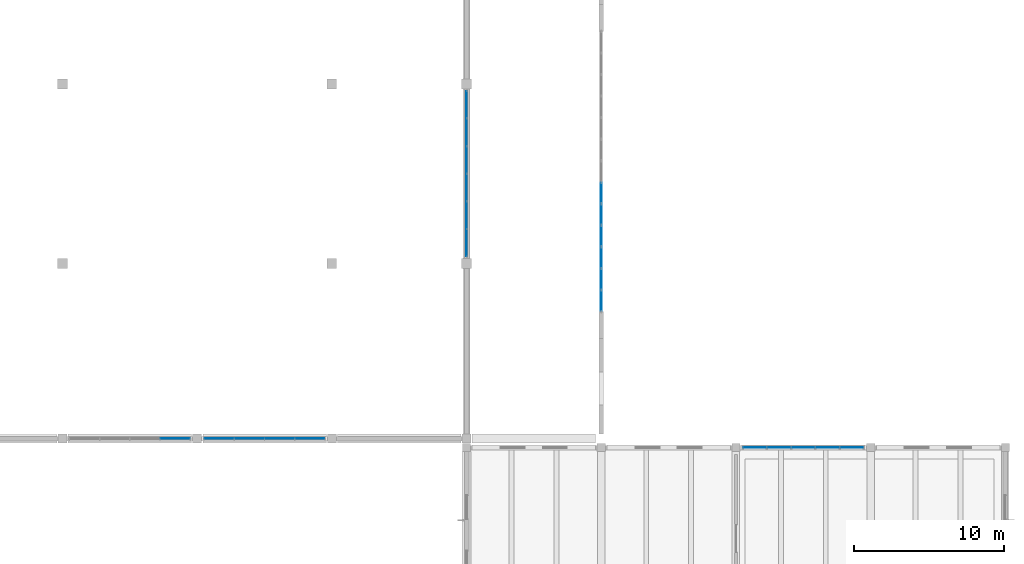
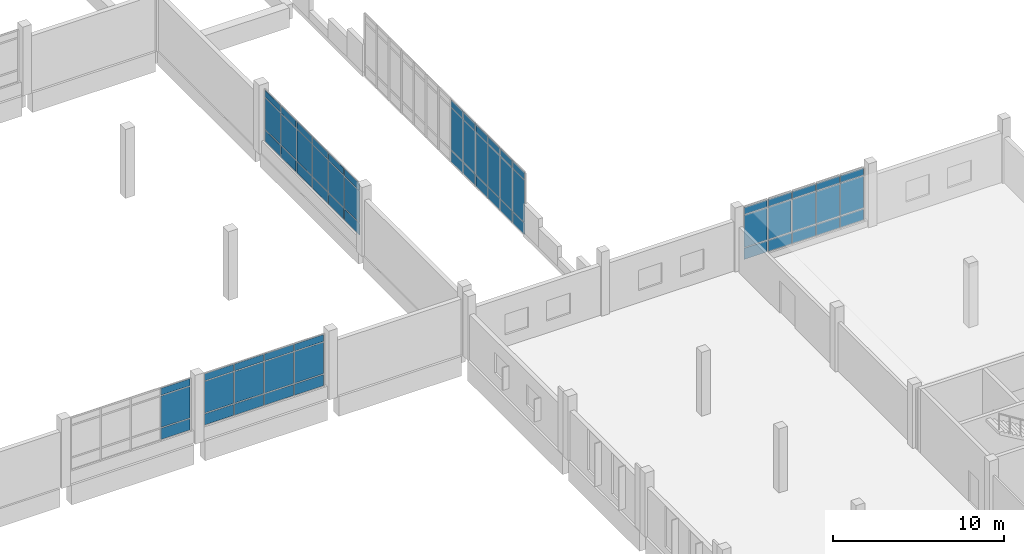
# One storey, part 30 of 63: 66 plates, 5 elements without a shape of their own.
"""IFC4 building model written with IfcOpenShell, lengths in metres."""

from ifc_helpers import new_model, si_unit, direction, frame, origin, origin_2d, place, context, subcontext, project, spatial, rectangle, extrude, material, layer, layer_set, type_object, element, aggregate, save


model = new_model("IFC4")

# Units and contexts
model_context = context("Model", 3, precision=1e-05, world=origin(), true_north=direction((0.0, 1.0)))
body_context = subcontext(model_context, "Body", "Model", "MODEL_VIEW")
ifc_project = project(units=[si_unit("LENGTHUNIT", "METRE"), si_unit("AREAUNIT", "SQUARE_METRE"), si_unit("VOLUMEUNIT", "CUBIC_METRE"), si_unit("PLANEANGLEUNIT", "RADIAN"), si_unit("MASSUNIT", "GRAM", prefix="KILO")], contexts=[model_context])

# Site, building, storey
site_placement = place(None, origin())
site = spatial("IfcSite", under=ifc_project, at=site_placement, CompositionType="ELEMENT")
building_placement = place(site_placement, origin())
building = spatial("IfcBuilding", under=site, at=building_placement, Name="Zacnel Wholesale Market", CompositionType="ELEMENT")
storey_placement = place(building_placement, frame((0.0, 0.0, 11.199951171875)))
storey = spatial("IfcBuildingStorey", under=building, at=storey_placement, Name="L03", CompositionType="ELEMENT", Elevation=11.199951171875)

# Curtain wall, plates
ifc_material_1 = material(Name="Anodised aluminium", Category="aluminium")
ifc_layer_1 = layer(ifc_material_1, 0.159912109375)
ifc_layer_set_1 = layer_set([ifc_layer_1], Name="Anodised aluminium")
curtain_wall_type_1 = type_object("IfcCurtainWallType", Name="CW-COURT-4500", PredefinedType="NOTDEFINED", material=ifc_layer_set_1)
curtain_wall_1_placement = place(storey_placement, origin())
curtain_wall_1 = element("IfcCurtainWall", 1, at=curtain_wall_1_placement, inside=storey, type_object=curtain_wall_type_1, Name="Curtain wall ENV-R2-CW-L03-050", PredefinedType="NOTDEFINED")
ifc_material_2 = material(Name="Laminated hurricane-impact low-E insulated glass", Category="glass")
ifc_layer_2 = layer(ifc_material_2, 0.028076171875)
ifc_layer_set_2 = layer_set([ifc_layer_2], Name="Laminated hurricane-impact low-E insulated glass")
plate_type_1 = type_object("IfcPlateType", Name="CWP-PNL-01", PredefinedType="CURTAIN_PANEL", material=ifc_layer_set_2)
plate_1_placement = place(storey_placement, frame((199.260009765625, 95.699951171875, 1.330078125), z_axis=(0.0, 0.0, 1.0), x_axis=(1.0, 0.0, 0.0)))
plate_1 = element("IfcPlate", 2, at=plate_1_placement, type_object=plate_type_1, Name="ENV-R2-CW-L03-050 panel 1-2", PredefinedType="CURTAIN_PANEL", context=body_context, shape_type="SweptSolid", body=[
    extrude(rectangle(XDim=1.550048828125, YDim=0.028076171875, at=origin_2d()), origin(), (0.0, 0.0, 1.0), 2.2900390625),
])
plate_2_placement = place(storey_placement, frame((200.8798828125, 95.699951171875, 1.330078125), z_axis=(0.0, 0.0, 1.0), x_axis=(1.0, 0.0, 0.0)))
plate_2 = element("IfcPlate", 3, at=plate_2_placement, type_object=plate_type_1, Name="ENV-R2-CW-L03-050 panel 2-2", PredefinedType="CURTAIN_PANEL", context=body_context, shape_type="SweptSolid", body=[
    extrude(rectangle(XDim=1.550048828125, YDim=0.028076171875, at=origin_2d()), origin(), (0.0, 0.0, 1.0), 2.2900390625),
])
plate_3_placement = place(storey_placement, frame((202.5, 95.699951171875, 1.330078125), z_axis=(0.0, 0.0, 1.0), x_axis=(1.0, 0.0, 0.0)))
plate_3 = element("IfcPlate", 4, at=plate_3_placement, type_object=plate_type_1, Name="ENV-R2-CW-L03-050 panel 3-2", PredefinedType="CURTAIN_PANEL", context=body_context, shape_type="SweptSolid", body=[
    extrude(rectangle(XDim=1.550048828125, YDim=0.028076171875, at=origin_2d()), origin(), (0.0, 0.0, 1.0), 2.2900390625),
])
plate_4_placement = place(storey_placement, frame((204.1201171875, 95.699951171875, 1.330078125), z_axis=(0.0, 0.0, 1.0), x_axis=(1.0, 0.0, 0.0)))
plate_4 = element("IfcPlate", 5, at=plate_4_placement, type_object=plate_type_1, Name="ENV-R2-CW-L03-050 panel 4-2", PredefinedType="CURTAIN_PANEL", context=body_context, shape_type="SweptSolid", body=[
    extrude(rectangle(XDim=1.550048828125, YDim=0.028076171875, at=origin_2d()), origin(), (0.0, 0.0, 1.0), 2.2900390625),
])
plate_5_placement = place(storey_placement, frame((205.739990234375, 95.699951171875, 1.330078125), z_axis=(0.0, 0.0, 1.0), x_axis=(1.0, 0.0, 0.0)))
plate_5 = element("IfcPlate", 6, at=plate_5_placement, type_object=plate_type_1, Name="ENV-R2-CW-L03-050 panel 5-2", PredefinedType="CURTAIN_PANEL", context=body_context, shape_type="SweptSolid", body=[
    extrude(rectangle(XDim=1.550048828125, YDim=0.028076171875, at=origin_2d()), origin(), (0.0, 0.0, 1.0), 2.2900390625),
])

ifc_material_3 = material(Name="Anodised aluminium", Category="aluminium")
ifc_layer_3 = layer(ifc_material_3, 0.159912109375)
ifc_layer_set_3 = layer_set([ifc_layer_3], Name="Anodised aluminium")
curtain_wall_type_2 = type_object("IfcCurtainWallType", Name="CW-NAVE-4200", PredefinedType="NOTDEFINED", material=ifc_layer_set_3)
curtain_wall_2_placement = place(storey_placement, origin())
curtain_wall_2 = element("IfcCurtainWall", 7, at=curtain_wall_2_placement, inside=storey, type_object=curtain_wall_type_2, Name="Curtain wall ENV-CW-GABLE-NW-E", PredefinedType="NOTDEFINED")
ifc_material_4 = material(Name="Laminated hurricane-impact low-E insulated glass", Category="glass")
ifc_layer_4 = layer(ifc_material_4, 0.031982421875)
ifc_layer_set_4 = layer_set([ifc_layer_4], Name="Laminated hurricane-impact low-E insulated glass")
plate_type_2 = type_object("IfcPlateType", Name="CWP-PNL-02", PredefinedType="CURTAIN_PANEL", material=ifc_layer_set_4)
plate_6_placement = place(storey_placement, frame((189.0, 105.519287109375, 0.8798828125), z_axis=(0.0, 0.0, 1.0), x_axis=(0.0, 1.0, 0.0)))
plate_6 = element("IfcPlate", 8, at=plate_6_placement, type_object=plate_type_2, Name="ENV-CW-GABLE-NW-E panel 1-2", PredefinedType="CURTAIN_PANEL", context=body_context, shape_type="SweptSolid", body=[
    extrude(rectangle(XDim=1.368408203125, YDim=0.031982421875, at=origin_2d()), origin(), (0.0, 0.0, 1.0), 2.989990234375),
])
plate_7_placement = place(storey_placement, frame((189.0, 106.957763671875, 0.8798828125), z_axis=(0.0, 0.0, 1.0), x_axis=(0.0, 1.0, 0.0)))
plate_7 = element("IfcPlate", 9, at=plate_7_placement, type_object=plate_type_2, Name="ENV-CW-GABLE-NW-E panel 2-2", PredefinedType="CURTAIN_PANEL", context=body_context, shape_type="SweptSolid", body=[
    extrude(rectangle(XDim=1.368408203125, YDim=0.031982421875, at=origin_2d()), origin(), (0.0, 0.0, 1.0), 2.989990234375),
])
plate_8_placement = place(storey_placement, frame((189.0, 108.396240234375, 0.8798828125), z_axis=(0.0, 0.0, 1.0), x_axis=(0.0, 1.0, 0.0)))
plate_8 = element("IfcPlate", 10, at=plate_8_placement, type_object=plate_type_2, Name="ENV-CW-GABLE-NW-E panel 3-2", PredefinedType="CURTAIN_PANEL", context=body_context, shape_type="SweptSolid", body=[
    extrude(rectangle(XDim=1.368408203125, YDim=0.031982421875, at=origin_2d()), origin(), (0.0, 0.0, 1.0), 2.989990234375),
])
plate_9_placement = place(storey_placement, frame((189.0, 109.834716796875, 0.8798828125), z_axis=(0.0, 0.0, 1.0), x_axis=(0.0, 1.0, 0.0)))
plate_9 = element("IfcPlate", 11, at=plate_9_placement, type_object=plate_type_2, Name="ENV-CW-GABLE-NW-E panel 4-2", PredefinedType="CURTAIN_PANEL", context=body_context, shape_type="SweptSolid", body=[
    extrude(rectangle(XDim=1.368408203125, YDim=0.031982421875, at=origin_2d()), origin(), (0.0, 0.0, 1.0), 2.989990234375),
])
plate_10_placement = place(storey_placement, frame((189.0, 111.273193359375, 0.8798828125), z_axis=(0.0, 0.0, 1.0), x_axis=(0.0, 1.0, 0.0)))
plate_10 = element("IfcPlate", 12, at=plate_10_placement, type_object=plate_type_2, Name="ENV-CW-GABLE-NW-E panel 5-2", PredefinedType="CURTAIN_PANEL", context=body_context, shape_type="SweptSolid", body=[
    extrude(rectangle(XDim=1.368408203125, YDim=0.031982421875, at=origin_2d()), origin(), (0.0, 0.0, 1.0), 2.989990234375),
])
plate_11_placement = place(storey_placement, frame((189.0, 112.71142578125, 0.8798828125), z_axis=(0.0, 0.0, 1.0), x_axis=(0.0, 1.0, 0.0)))
plate_11 = element("IfcPlate", 13, at=plate_11_placement, type_object=plate_type_2, Name="ENV-CW-GABLE-NW-E panel 6-2", PredefinedType="CURTAIN_PANEL", context=body_context, shape_type="SweptSolid", body=[
    extrude(rectangle(XDim=1.368408203125, YDim=0.031982421875, at=origin_2d()), origin(), (0.0, 0.0, 1.0), 2.989990234375),
])

# Curtain wall, plate
ifc_material_5 = material(Name="Anodised aluminium", Category="aluminium")
ifc_layer_5 = layer(ifc_material_5, 0.14990234375)
ifc_layer_set_5 = layer_set([ifc_layer_5], Name="Anodised aluminium")
curtain_wall_type_3 = type_object("IfcCurtainWallType", Name="CW-CLER-3600", PredefinedType="NOTDEFINED", material=ifc_layer_set_5)
curtain_wall_3_placement = place(storey_placement, origin())
curtain_wall_3 = element("IfcCurtainWall", 14, at=curtain_wall_3_placement, inside=storey, type_object=curtain_wall_type_3, Name="Curtain wall ENV-CW-XDRUM-S-2", PredefinedType="NOTDEFINED")
ifc_material_6 = material(Name="Laminated hurricane-impact low-E insulated glass", Category="glass")
ifc_layer_6 = layer(ifc_material_6, 0.02392578125)
ifc_layer_set_6 = layer_set([ifc_layer_6], Name="Laminated hurricane-impact low-E insulated glass")
plate_type_3 = type_object("IfcPlateType", Name="CWP-PNL-03", PredefinedType="CURTAIN_PANEL", material=ifc_layer_set_6)
plate_12_placement = place(storey_placement, frame((160.530029296875, 96.300048828125, 1.7802734375), z_axis=(0.0, 0.0, 1.0), x_axis=(1.0, 0.0, 0.0)))
plate_12 = element("IfcPlate", 15, at=plate_12_placement, type_object=plate_type_3, Name="ENV-CW-XDRUM-S-2 panel 4-2", PredefinedType="CURTAIN_PANEL", context=body_context, shape_type="SweptSolid", body=[
    extrude(rectangle(XDim=1.949951171875, YDim=0.02392578125, at=origin_2d()), origin(), (0.0, 0.0, 1.0), 2.239990234375),
])

# Curtain wall, plates
curtain_wall_4_placement = place(storey_placement, origin())
curtain_wall_4 = element("IfcCurtainWall", 16, at=curtain_wall_4_placement, inside=storey, type_object=curtain_wall_type_3, Name="Curtain wall ENV-CW-XDRUM-S-3", PredefinedType="NOTDEFINED")
plate_13_placement = place(storey_placement, frame((163.469970703125, 96.300048828125, 1.7802734375), z_axis=(0.0, 0.0, 1.0), x_axis=(1.0, 0.0, 0.0)))
plate_13 = element("IfcPlate", 17, at=plate_13_placement, type_object=plate_type_3, Name="ENV-CW-XDRUM-S-3 panel 1-2", PredefinedType="CURTAIN_PANEL", context=body_context, shape_type="SweptSolid", body=[
    extrude(rectangle(XDim=1.949951171875, YDim=0.02392578125, at=origin_2d()), origin(), (0.0, 0.0, 1.0), 2.239990234375),
])
plate_14_placement = place(storey_placement, frame((165.489990234375, 96.300048828125, 1.7802734375), z_axis=(0.0, 0.0, 1.0), x_axis=(1.0, 0.0, 0.0)))
plate_14 = element("IfcPlate", 18, at=plate_14_placement, type_object=plate_type_3, Name="ENV-CW-XDRUM-S-3 panel 2-2", PredefinedType="CURTAIN_PANEL", context=body_context, shape_type="SweptSolid", body=[
    extrude(rectangle(XDim=1.949951171875, YDim=0.02392578125, at=origin_2d()), origin(), (0.0, 0.0, 1.0), 2.239990234375),
])
plate_15_placement = place(storey_placement, frame((167.510009765625, 96.300048828125, 1.7802734375), z_axis=(0.0, 0.0, 1.0), x_axis=(1.0, 0.0, 0.0)))
plate_15 = element("IfcPlate", 19, at=plate_15_placement, type_object=plate_type_3, Name="ENV-CW-XDRUM-S-3 panel 3-2", PredefinedType="CURTAIN_PANEL", context=body_context, shape_type="SweptSolid", body=[
    extrude(rectangle(XDim=1.949951171875, YDim=0.02392578125, at=origin_2d()), origin(), (0.0, 0.0, 1.0), 2.239990234375),
])
plate_16_placement = place(storey_placement, frame((169.530029296875, 96.300048828125, 1.7802734375), z_axis=(0.0, 0.0, 1.0), x_axis=(1.0, 0.0, 0.0)))
plate_16 = element("IfcPlate", 20, at=plate_16_placement, type_object=plate_type_3, Name="ENV-CW-XDRUM-S-3 panel 4-2", PredefinedType="CURTAIN_PANEL", context=body_context, shape_type="SweptSolid", body=[
    extrude(rectangle(XDim=1.949951171875, YDim=0.02392578125, at=origin_2d()), origin(), (0.0, 0.0, 1.0), 2.239990234375),
])

curtain_wall_5_placement = place(storey_placement, origin())
curtain_wall_5 = element("IfcCurtainWall", 21, at=curtain_wall_5_placement, inside=storey, type_object=curtain_wall_type_3, Name="Curtain wall ENV-CW-XDRUM-E-2", PredefinedType="NOTDEFINED")
plate_17_placement = place(storey_placement, frame((180.0, 109.38330078125, 1.7802734375), z_axis=(0.0, 0.0, 1.0), x_axis=(0.0, 1.0, 0.0)))
plate_17 = element("IfcPlate", 22, at=plate_17_placement, type_object=plate_type_3, Name="ENV-CW-XDRUM-E-2 panel 1-2", PredefinedType="CURTAIN_PANEL", context=body_context, shape_type="SweptSolid", body=[
    extrude(rectangle(XDim=1.776611328125, YDim=0.02392578125, at=origin_2d()), origin(), (0.0, 0.0, 1.0), 2.239990234375),
])
plate_18_placement = place(storey_placement, frame((180.0, 111.22998046875, 1.7802734375), z_axis=(0.0, 0.0, 1.0), x_axis=(0.0, 1.0, 0.0)))
plate_18 = element("IfcPlate", 23, at=plate_18_placement, type_object=plate_type_3, Name="ENV-CW-XDRUM-E-2 panel 2-2", PredefinedType="CURTAIN_PANEL", context=body_context, shape_type="SweptSolid", body=[
    extrude(rectangle(XDim=1.776611328125, YDim=0.02392578125, at=origin_2d()), origin(), (0.0, 0.0, 1.0), 2.239990234375),
])
plate_19_placement = place(storey_placement, frame((180.0, 113.07666015625, 1.7802734375), z_axis=(0.0, 0.0, 1.0), x_axis=(0.0, 1.0, 0.0)))
plate_19 = element("IfcPlate", 24, at=plate_19_placement, type_object=plate_type_3, Name="ENV-CW-XDRUM-E-2 panel 3-2", PredefinedType="CURTAIN_PANEL", context=body_context, shape_type="SweptSolid", body=[
    extrude(rectangle(XDim=1.776611328125, YDim=0.02392578125, at=origin_2d()), origin(), (0.0, 0.0, 1.0), 2.239990234375),
])
plate_20_placement = place(storey_placement, frame((180.0, 114.92333984375, 1.7802734375), z_axis=(0.0, 0.0, 1.0), x_axis=(0.0, 1.0, 0.0)))
plate_20 = element("IfcPlate", 25, at=plate_20_placement, type_object=plate_type_3, Name="ENV-CW-XDRUM-E-2 panel 4-2", PredefinedType="CURTAIN_PANEL", context=body_context, shape_type="SweptSolid", body=[
    extrude(rectangle(XDim=1.776611328125, YDim=0.02392578125, at=origin_2d()), origin(), (0.0, 0.0, 1.0), 2.239990234375),
])
plate_21_placement = place(storey_placement, frame((180.0, 116.77001953125, 1.7802734375), z_axis=(0.0, 0.0, 1.0), x_axis=(0.0, 1.0, 0.0)))
plate_21 = element("IfcPlate", 26, at=plate_21_placement, type_object=plate_type_3, Name="ENV-CW-XDRUM-E-2 panel 5-2", PredefinedType="CURTAIN_PANEL", context=body_context, shape_type="SweptSolid", body=[
    extrude(rectangle(XDim=1.776611328125, YDim=0.02392578125, at=origin_2d()), origin(), (0.0, 0.0, 1.0), 2.239990234375),
])
plate_22_placement = place(storey_placement, frame((180.0, 118.61669921875, 1.7802734375), z_axis=(0.0, 0.0, 1.0), x_axis=(0.0, 1.0, 0.0)))
plate_22 = element("IfcPlate", 27, at=plate_22_placement, type_object=plate_type_3, Name="ENV-CW-XDRUM-E-2 panel 6-2", PredefinedType="CURTAIN_PANEL", context=body_context, shape_type="SweptSolid", body=[
    extrude(rectangle(XDim=1.776611328125, YDim=0.02392578125, at=origin_2d()), origin(), (0.0, 0.0, 1.0), 2.239990234375),
])

# Plate
ifc_material_7 = material(Name="Anodised aluminium", Category="aluminium")
ifc_layer_7 = layer(ifc_material_7, 0.0400390625)
ifc_layer_set_7 = layer_set([ifc_layer_7], Name="Anodised aluminium")
plate_type_4 = type_object("IfcPlateType", Name="CWP-PNL-05", PredefinedType="CURTAIN_PANEL", material=ifc_layer_set_7)
plate_23_placement = place(storey_placement, frame((199.260009765625, 95.699951171875, 0.47998046875), z_axis=(0.0, 0.0, 1.0), x_axis=(1.0, 0.0, 0.0)))
plate_23 = element("IfcPlate", 28, at=plate_23_placement, type_object=plate_type_4, Name="ENV-R2-CW-L03-050 panel 1-1", PredefinedType="CURTAIN_PANEL", context=body_context, shape_type="SweptSolid", body=[
    extrude(rectangle(XDim=1.550048828125, YDim=0.0400390625, at=origin_2d()), origin(), (0.0, 0.0, 1.0), 0.7900390625),
])

plate_24_placement = place(storey_placement, frame((199.260009765625, 95.699951171875, 3.68017578125), z_axis=(0.0, 0.0, 1.0), x_axis=(1.0, 0.0, 0.0)))
plate_24 = element("IfcPlate", 29, at=plate_24_placement, type_object=plate_type_4, Name="ENV-R2-CW-L03-050 panel 1-3", PredefinedType="CURTAIN_PANEL", context=body_context, shape_type="SweptSolid", body=[
    extrude(rectangle(XDim=1.550048828125, YDim=0.0400390625, at=origin_2d()), origin(), (0.0, 0.0, 1.0), 0.489990234375),
])

plate_25_placement = place(storey_placement, frame((202.5, 95.699951171875, 0.47998046875), z_axis=(0.0, 0.0, 1.0), x_axis=(1.0, 0.0, 0.0)))
plate_25 = element("IfcPlate", 30, at=plate_25_placement, type_object=plate_type_4, Name="ENV-R2-CW-L03-050 panel 3-1", PredefinedType="CURTAIN_PANEL", context=body_context, shape_type="SweptSolid", body=[
    extrude(rectangle(XDim=1.550048828125, YDim=0.0400390625, at=origin_2d()), origin(), (0.0, 0.0, 1.0), 0.7900390625),
])

plate_26_placement = place(storey_placement, frame((202.5, 95.699951171875, 3.68017578125), z_axis=(0.0, 0.0, 1.0), x_axis=(1.0, 0.0, 0.0)))
plate_26 = element("IfcPlate", 31, at=plate_26_placement, type_object=plate_type_4, Name="ENV-R2-CW-L03-050 panel 3-3", PredefinedType="CURTAIN_PANEL", context=body_context, shape_type="SweptSolid", body=[
    extrude(rectangle(XDim=1.550048828125, YDim=0.0400390625, at=origin_2d()), origin(), (0.0, 0.0, 1.0), 0.489990234375),
])

plate_27_placement = place(storey_placement, frame((205.739990234375, 95.699951171875, 0.47998046875), z_axis=(0.0, 0.0, 1.0), x_axis=(1.0, 0.0, 0.0)))
plate_27 = element("IfcPlate", 32, at=plate_27_placement, type_object=plate_type_4, Name="ENV-R2-CW-L03-050 panel 5-1", PredefinedType="CURTAIN_PANEL", context=body_context, shape_type="SweptSolid", body=[
    extrude(rectangle(XDim=1.550048828125, YDim=0.0400390625, at=origin_2d()), origin(), (0.0, 0.0, 1.0), 0.7900390625),
])

plate_28_placement = place(storey_placement, frame((205.739990234375, 95.699951171875, 3.68017578125), z_axis=(0.0, 0.0, 1.0), x_axis=(1.0, 0.0, 0.0)))
plate_28 = element("IfcPlate", 33, at=plate_28_placement, type_object=plate_type_4, Name="ENV-R2-CW-L03-050 panel 5-3", PredefinedType="CURTAIN_PANEL", context=body_context, shape_type="SweptSolid", body=[
    extrude(rectangle(XDim=1.550048828125, YDim=0.0400390625, at=origin_2d()), origin(), (0.0, 0.0, 1.0), 0.489990234375),
])

plate_29_placement = place(storey_placement, frame((189.0, 105.519287109375, 0.030029296875), z_axis=(0.0, 0.0, 1.0), x_axis=(0.0, 1.0, 0.0)))
plate_29 = element("IfcPlate", 34, at=plate_29_placement, type_object=plate_type_4, Name="ENV-CW-GABLE-NW-E panel 1-1", PredefinedType="CURTAIN_PANEL", context=body_context, shape_type="SweptSolid", body=[
    extrude(rectangle(XDim=1.368408203125, YDim=0.0400390625, at=origin_2d()), origin(), (0.0, 0.0, 1.0), 0.7900390625),
])

plate_30_placement = place(storey_placement, frame((189.0, 105.519287109375, 3.93017578125), z_axis=(0.0, 0.0, 1.0), x_axis=(0.0, 1.0, 0.0)))
plate_30 = element("IfcPlate", 35, at=plate_30_placement, type_object=plate_type_4, Name="ENV-CW-GABLE-NW-E panel 1-3", PredefinedType="CURTAIN_PANEL", context=body_context, shape_type="SweptSolid", body=[
    extrude(rectangle(XDim=1.368408203125, YDim=0.0400390625, at=origin_2d()), origin(), (0.0, 0.0, 1.0), 0.489990234375),
])

plate_31_placement = place(storey_placement, frame((189.0, 108.396240234375, 0.030029296875), z_axis=(0.0, 0.0, 1.0), x_axis=(0.0, 1.0, 0.0)))
plate_31 = element("IfcPlate", 36, at=plate_31_placement, type_object=plate_type_4, Name="ENV-CW-GABLE-NW-E panel 3-1", PredefinedType="CURTAIN_PANEL", context=body_context, shape_type="SweptSolid", body=[
    extrude(rectangle(XDim=1.368408203125, YDim=0.0400390625, at=origin_2d()), origin(), (0.0, 0.0, 1.0), 0.7900390625),
])

plate_32_placement = place(storey_placement, frame((189.0, 108.396240234375, 3.93017578125), z_axis=(0.0, 0.0, 1.0), x_axis=(0.0, 1.0, 0.0)))
plate_32 = element("IfcPlate", 37, at=plate_32_placement, type_object=plate_type_4, Name="ENV-CW-GABLE-NW-E panel 3-3", PredefinedType="CURTAIN_PANEL", context=body_context, shape_type="SweptSolid", body=[
    extrude(rectangle(XDim=1.368408203125, YDim=0.0400390625, at=origin_2d()), origin(), (0.0, 0.0, 1.0), 0.489990234375),
])

plate_33_placement = place(storey_placement, frame((189.0, 111.273193359375, 0.030029296875), z_axis=(0.0, 0.0, 1.0), x_axis=(0.0, 1.0, 0.0)))
plate_33 = element("IfcPlate", 38, at=plate_33_placement, type_object=plate_type_4, Name="ENV-CW-GABLE-NW-E panel 5-1", PredefinedType="CURTAIN_PANEL", context=body_context, shape_type="SweptSolid", body=[
    extrude(rectangle(XDim=1.368408203125, YDim=0.0400390625, at=origin_2d()), origin(), (0.0, 0.0, 1.0), 0.7900390625),
])

plate_34_placement = place(storey_placement, frame((189.0, 111.273193359375, 3.93017578125), z_axis=(0.0, 0.0, 1.0), x_axis=(0.0, 1.0, 0.0)))
plate_34 = element("IfcPlate", 39, at=plate_34_placement, type_object=plate_type_4, Name="ENV-CW-GABLE-NW-E panel 5-3", PredefinedType="CURTAIN_PANEL", context=body_context, shape_type="SweptSolid", body=[
    extrude(rectangle(XDim=1.368408203125, YDim=0.0400390625, at=origin_2d()), origin(), (0.0, 0.0, 1.0), 0.489990234375),
])

plate_35_placement = place(storey_placement, frame((163.469970703125, 96.300048828125, 0.929931640625), z_axis=(0.0, 0.0, 1.0), x_axis=(1.0, 0.0, 0.0)))
plate_35 = element("IfcPlate", 40, at=plate_35_placement, type_object=plate_type_4, Name="ENV-CW-XDRUM-S-3 panel 1-1", PredefinedType="CURTAIN_PANEL", context=body_context, shape_type="SweptSolid", body=[
    extrude(rectangle(XDim=1.949951171875, YDim=0.0400390625, at=origin_2d()), origin(), (0.0, 0.0, 1.0), 0.7900390625),
])

plate_36_placement = place(storey_placement, frame((163.469970703125, 96.300048828125, 4.080078125), z_axis=(0.0, 0.0, 1.0), x_axis=(1.0, 0.0, 0.0)))
plate_36 = element("IfcPlate", 41, at=plate_36_placement, type_object=plate_type_4, Name="ENV-CW-XDRUM-S-3 panel 1-3", PredefinedType="CURTAIN_PANEL", context=body_context, shape_type="SweptSolid", body=[
    extrude(rectangle(XDim=1.949951171875, YDim=0.0400390625, at=origin_2d()), origin(), (0.0, 0.0, 1.0), 0.489990234375),
])

plate_37_placement = place(storey_placement, frame((167.510009765625, 96.300048828125, 0.929931640625), z_axis=(0.0, 0.0, 1.0), x_axis=(1.0, 0.0, 0.0)))
plate_37 = element("IfcPlate", 42, at=plate_37_placement, type_object=plate_type_4, Name="ENV-CW-XDRUM-S-3 panel 3-1", PredefinedType="CURTAIN_PANEL", context=body_context, shape_type="SweptSolid", body=[
    extrude(rectangle(XDim=1.949951171875, YDim=0.0400390625, at=origin_2d()), origin(), (0.0, 0.0, 1.0), 0.7900390625),
])

plate_38_placement = place(storey_placement, frame((167.510009765625, 96.300048828125, 4.080078125), z_axis=(0.0, 0.0, 1.0), x_axis=(1.0, 0.0, 0.0)))
plate_38 = element("IfcPlate", 43, at=plate_38_placement, type_object=plate_type_4, Name="ENV-CW-XDRUM-S-3 panel 3-3", PredefinedType="CURTAIN_PANEL", context=body_context, shape_type="SweptSolid", body=[
    extrude(rectangle(XDim=1.949951171875, YDim=0.0400390625, at=origin_2d()), origin(), (0.0, 0.0, 1.0), 0.489990234375),
])

plate_39_placement = place(storey_placement, frame((180.0, 109.38330078125, 0.929931640625), z_axis=(0.0, 0.0, 1.0), x_axis=(0.0, 1.0, 0.0)))
plate_39 = element("IfcPlate", 44, at=plate_39_placement, type_object=plate_type_4, Name="ENV-CW-XDRUM-E-2 panel 1-1", PredefinedType="CURTAIN_PANEL", context=body_context, shape_type="SweptSolid", body=[
    extrude(rectangle(XDim=1.776611328125, YDim=0.0400390625, at=origin_2d()), origin(), (0.0, 0.0, 1.0), 0.7900390625),
])

plate_40_placement = place(storey_placement, frame((180.0, 109.38330078125, 4.080078125), z_axis=(0.0, 0.0, 1.0), x_axis=(0.0, 1.0, 0.0)))
plate_40 = element("IfcPlate", 45, at=plate_40_placement, type_object=plate_type_4, Name="ENV-CW-XDRUM-E-2 panel 1-3", PredefinedType="CURTAIN_PANEL", context=body_context, shape_type="SweptSolid", body=[
    extrude(rectangle(XDim=1.776611328125, YDim=0.0400390625, at=origin_2d()), origin(), (0.0, 0.0, 1.0), 0.489990234375),
])

plate_41_placement = place(storey_placement, frame((180.0, 113.07666015625, 0.929931640625), z_axis=(0.0, 0.0, 1.0), x_axis=(0.0, 1.0, 0.0)))
plate_41 = element("IfcPlate", 46, at=plate_41_placement, type_object=plate_type_4, Name="ENV-CW-XDRUM-E-2 panel 3-1", PredefinedType="CURTAIN_PANEL", context=body_context, shape_type="SweptSolid", body=[
    extrude(rectangle(XDim=1.776611328125, YDim=0.0400390625, at=origin_2d()), origin(), (0.0, 0.0, 1.0), 0.7900390625),
])

plate_42_placement = place(storey_placement, frame((180.0, 113.07666015625, 4.080078125), z_axis=(0.0, 0.0, 1.0), x_axis=(0.0, 1.0, 0.0)))
plate_42 = element("IfcPlate", 47, at=plate_42_placement, type_object=plate_type_4, Name="ENV-CW-XDRUM-E-2 panel 3-3", PredefinedType="CURTAIN_PANEL", context=body_context, shape_type="SweptSolid", body=[
    extrude(rectangle(XDim=1.776611328125, YDim=0.0400390625, at=origin_2d()), origin(), (0.0, 0.0, 1.0), 0.489990234375),
])

plate_43_placement = place(storey_placement, frame((180.0, 116.77001953125, 0.929931640625), z_axis=(0.0, 0.0, 1.0), x_axis=(0.0, 1.0, 0.0)))
plate_43 = element("IfcPlate", 48, at=plate_43_placement, type_object=plate_type_4, Name="ENV-CW-XDRUM-E-2 panel 5-1", PredefinedType="CURTAIN_PANEL", context=body_context, shape_type="SweptSolid", body=[
    extrude(rectangle(XDim=1.776611328125, YDim=0.0400390625, at=origin_2d()), origin(), (0.0, 0.0, 1.0), 0.7900390625),
])

plate_44_placement = place(storey_placement, frame((180.0, 116.77001953125, 4.080078125), z_axis=(0.0, 0.0, 1.0), x_axis=(0.0, 1.0, 0.0)))
plate_44 = element("IfcPlate", 49, at=plate_44_placement, type_object=plate_type_4, Name="ENV-CW-XDRUM-E-2 panel 5-3", PredefinedType="CURTAIN_PANEL", context=body_context, shape_type="SweptSolid", body=[
    extrude(rectangle(XDim=1.776611328125, YDim=0.0400390625, at=origin_2d()), origin(), (0.0, 0.0, 1.0), 0.489990234375),
])

ifc_material_8 = material(Name="Honed Yucatan Maya cream limestone", Category="masonry")
ifc_layer_8 = layer(ifc_material_8, 0.044921875)
ifc_layer_set_8 = layer_set([ifc_layer_8], Name="Honed Yucatan Maya cream limestone")
plate_type_5 = type_object("IfcPlateType", Name="CWP-PNL-06", PredefinedType="CURTAIN_PANEL", material=ifc_layer_set_8)
plate_45_placement = place(storey_placement, frame((200.8798828125, 95.699951171875, 0.47998046875), z_axis=(0.0, 0.0, 1.0), x_axis=(1.0, 0.0, 0.0)))
plate_45 = element("IfcPlate", 50, at=plate_45_placement, type_object=plate_type_5, Name="ENV-R2-CW-L03-050 panel 2-1", PredefinedType="CURTAIN_PANEL", context=body_context, shape_type="SweptSolid", body=[
    extrude(rectangle(XDim=1.550048828125, YDim=0.044921875, at=origin_2d()), origin(), (0.0, 0.0, 1.0), 0.7900390625),
])

plate_46_placement = place(storey_placement, frame((200.8798828125, 95.699951171875, 3.68017578125), z_axis=(0.0, 0.0, 1.0), x_axis=(1.0, 0.0, 0.0)))
plate_46 = element("IfcPlate", 51, at=plate_46_placement, type_object=plate_type_5, Name="ENV-R2-CW-L03-050 panel 2-3", PredefinedType="CURTAIN_PANEL", context=body_context, shape_type="SweptSolid", body=[
    extrude(rectangle(XDim=1.550048828125, YDim=0.044921875, at=origin_2d()), origin(), (0.0, 0.0, 1.0), 0.489990234375),
])

plate_47_placement = place(storey_placement, frame((204.1201171875, 95.699951171875, 0.47998046875), z_axis=(0.0, 0.0, 1.0), x_axis=(1.0, 0.0, 0.0)))
plate_47 = element("IfcPlate", 52, at=plate_47_placement, type_object=plate_type_5, Name="ENV-R2-CW-L03-050 panel 4-1", PredefinedType="CURTAIN_PANEL", context=body_context, shape_type="SweptSolid", body=[
    extrude(rectangle(XDim=1.550048828125, YDim=0.044921875, at=origin_2d()), origin(), (0.0, 0.0, 1.0), 0.7900390625),
])

plate_48_placement = place(storey_placement, frame((204.1201171875, 95.699951171875, 3.68017578125), z_axis=(0.0, 0.0, 1.0), x_axis=(1.0, 0.0, 0.0)))
plate_48 = element("IfcPlate", 53, at=plate_48_placement, type_object=plate_type_5, Name="ENV-R2-CW-L03-050 panel 4-3", PredefinedType="CURTAIN_PANEL", context=body_context, shape_type="SweptSolid", body=[
    extrude(rectangle(XDim=1.550048828125, YDim=0.044921875, at=origin_2d()), origin(), (0.0, 0.0, 1.0), 0.489990234375),
])

aggregate(curtain_wall_1, [plate_23, plate_1, plate_24, plate_45, plate_2, plate_46, plate_25, plate_3, plate_26, plate_47, plate_4, plate_48, plate_27, plate_5, plate_28])

plate_49_placement = place(storey_placement, frame((189.0, 106.957763671875, 0.030029296875), z_axis=(0.0, 0.0, 1.0), x_axis=(0.0, 1.0, 0.0)))
plate_49 = element("IfcPlate", 54, at=plate_49_placement, type_object=plate_type_5, Name="ENV-CW-GABLE-NW-E panel 2-1", PredefinedType="CURTAIN_PANEL", context=body_context, shape_type="SweptSolid", body=[
    extrude(rectangle(XDim=1.368408203125, YDim=0.044921875, at=origin_2d()), origin(), (0.0, 0.0, 1.0), 0.7900390625),
])

plate_50_placement = place(storey_placement, frame((189.0, 106.957763671875, 3.93017578125), z_axis=(0.0, 0.0, 1.0), x_axis=(0.0, 1.0, 0.0)))
plate_50 = element("IfcPlate", 55, at=plate_50_placement, type_object=plate_type_5, Name="ENV-CW-GABLE-NW-E panel 2-3", PredefinedType="CURTAIN_PANEL", context=body_context, shape_type="SweptSolid", body=[
    extrude(rectangle(XDim=1.368408203125, YDim=0.044921875, at=origin_2d()), origin(), (0.0, 0.0, 1.0), 0.489990234375),
])

plate_51_placement = place(storey_placement, frame((189.0, 109.834716796875, 0.030029296875), z_axis=(0.0, 0.0, 1.0), x_axis=(0.0, 1.0, 0.0)))
plate_51 = element("IfcPlate", 56, at=plate_51_placement, type_object=plate_type_5, Name="ENV-CW-GABLE-NW-E panel 4-1", PredefinedType="CURTAIN_PANEL", context=body_context, shape_type="SweptSolid", body=[
    extrude(rectangle(XDim=1.368408203125, YDim=0.044921875, at=origin_2d()), origin(), (0.0, 0.0, 1.0), 0.7900390625),
])

plate_52_placement = place(storey_placement, frame((189.0, 109.834716796875, 3.93017578125), z_axis=(0.0, 0.0, 1.0), x_axis=(0.0, 1.0, 0.0)))
plate_52 = element("IfcPlate", 57, at=plate_52_placement, type_object=plate_type_5, Name="ENV-CW-GABLE-NW-E panel 4-3", PredefinedType="CURTAIN_PANEL", context=body_context, shape_type="SweptSolid", body=[
    extrude(rectangle(XDim=1.368408203125, YDim=0.044921875, at=origin_2d()), origin(), (0.0, 0.0, 1.0), 0.489990234375),
])

plate_53_placement = place(storey_placement, frame((189.0, 112.71142578125, 0.030029296875), z_axis=(0.0, 0.0, 1.0), x_axis=(0.0, 1.0, 0.0)))
plate_53 = element("IfcPlate", 58, at=plate_53_placement, type_object=plate_type_5, Name="ENV-CW-GABLE-NW-E panel 6-1", PredefinedType="CURTAIN_PANEL", context=body_context, shape_type="SweptSolid", body=[
    extrude(rectangle(XDim=1.368408203125, YDim=0.044921875, at=origin_2d()), origin(), (0.0, 0.0, 1.0), 0.7900390625),
])

plate_54_placement = place(storey_placement, frame((189.0, 112.71142578125, 3.93017578125), z_axis=(0.0, 0.0, 1.0), x_axis=(0.0, 1.0, 0.0)))
plate_54 = element("IfcPlate", 59, at=plate_54_placement, type_object=plate_type_5, Name="ENV-CW-GABLE-NW-E panel 6-3", PredefinedType="CURTAIN_PANEL", context=body_context, shape_type="SweptSolid", body=[
    extrude(rectangle(XDim=1.368408203125, YDim=0.044921875, at=origin_2d()), origin(), (0.0, 0.0, 1.0), 0.489990234375),
])

aggregate(curtain_wall_2, [plate_29, plate_6, plate_30, plate_49, plate_7, plate_50, plate_31, plate_8, plate_32, plate_51, plate_9, plate_52, plate_33, plate_10, plate_34, plate_53, plate_11, plate_54])

plate_55_placement = place(storey_placement, frame((160.530029296875, 96.300048828125, 0.929931640625), z_axis=(0.0, 0.0, 1.0), x_axis=(1.0, 0.0, 0.0)))
plate_55 = element("IfcPlate", 60, at=plate_55_placement, type_object=plate_type_5, Name="ENV-CW-XDRUM-S-2 panel 4-1", PredefinedType="CURTAIN_PANEL", context=body_context, shape_type="SweptSolid", body=[
    extrude(rectangle(XDim=1.949951171875, YDim=0.044921875, at=origin_2d()), origin(), (0.0, 0.0, 1.0), 0.7900390625),
])

plate_56_placement = place(storey_placement, frame((160.530029296875, 96.300048828125, 4.080078125), z_axis=(0.0, 0.0, 1.0), x_axis=(1.0, 0.0, 0.0)))
plate_56 = element("IfcPlate", 61, at=plate_56_placement, type_object=plate_type_5, Name="ENV-CW-XDRUM-S-2 panel 4-3", PredefinedType="CURTAIN_PANEL", context=body_context, shape_type="SweptSolid", body=[
    extrude(rectangle(XDim=1.949951171875, YDim=0.044921875, at=origin_2d()), origin(), (0.0, 0.0, 1.0), 0.489990234375),
])

aggregate(curtain_wall_3, [plate_55, plate_12, plate_56])

plate_57_placement = place(storey_placement, frame((165.489990234375, 96.300048828125, 0.929931640625), z_axis=(0.0, 0.0, 1.0), x_axis=(1.0, 0.0, 0.0)))
plate_57 = element("IfcPlate", 62, at=plate_57_placement, type_object=plate_type_5, Name="ENV-CW-XDRUM-S-3 panel 2-1", PredefinedType="CURTAIN_PANEL", context=body_context, shape_type="SweptSolid", body=[
    extrude(rectangle(XDim=1.949951171875, YDim=0.044921875, at=origin_2d()), origin(), (0.0, 0.0, 1.0), 0.7900390625),
])

plate_58_placement = place(storey_placement, frame((165.489990234375, 96.300048828125, 4.080078125), z_axis=(0.0, 0.0, 1.0), x_axis=(1.0, 0.0, 0.0)))
plate_58 = element("IfcPlate", 63, at=plate_58_placement, type_object=plate_type_5, Name="ENV-CW-XDRUM-S-3 panel 2-3", PredefinedType="CURTAIN_PANEL", context=body_context, shape_type="SweptSolid", body=[
    extrude(rectangle(XDim=1.949951171875, YDim=0.044921875, at=origin_2d()), origin(), (0.0, 0.0, 1.0), 0.489990234375),
])

plate_59_placement = place(storey_placement, frame((169.530029296875, 96.300048828125, 0.929931640625), z_axis=(0.0, 0.0, 1.0), x_axis=(1.0, 0.0, 0.0)))
plate_59 = element("IfcPlate", 64, at=plate_59_placement, type_object=plate_type_5, Name="ENV-CW-XDRUM-S-3 panel 4-1", PredefinedType="CURTAIN_PANEL", context=body_context, shape_type="SweptSolid", body=[
    extrude(rectangle(XDim=1.949951171875, YDim=0.044921875, at=origin_2d()), origin(), (0.0, 0.0, 1.0), 0.7900390625),
])

plate_60_placement = place(storey_placement, frame((169.530029296875, 96.300048828125, 4.080078125), z_axis=(0.0, 0.0, 1.0), x_axis=(1.0, 0.0, 0.0)))
plate_60 = element("IfcPlate", 65, at=plate_60_placement, type_object=plate_type_5, Name="ENV-CW-XDRUM-S-3 panel 4-3", PredefinedType="CURTAIN_PANEL", context=body_context, shape_type="SweptSolid", body=[
    extrude(rectangle(XDim=1.949951171875, YDim=0.044921875, at=origin_2d()), origin(), (0.0, 0.0, 1.0), 0.489990234375),
])

aggregate(curtain_wall_4, [plate_35, plate_13, plate_36, plate_57, plate_14, plate_58, plate_37, plate_15, plate_38, plate_59, plate_16, plate_60])

plate_61_placement = place(storey_placement, frame((180.0, 111.22998046875, 0.929931640625), z_axis=(0.0, 0.0, 1.0), x_axis=(0.0, 1.0, 0.0)))
plate_61 = element("IfcPlate", 66, at=plate_61_placement, type_object=plate_type_5, Name="ENV-CW-XDRUM-E-2 panel 2-1", PredefinedType="CURTAIN_PANEL", context=body_context, shape_type="SweptSolid", body=[
    extrude(rectangle(XDim=1.776611328125, YDim=0.044921875, at=origin_2d()), origin(), (0.0, 0.0, 1.0), 0.7900390625),
])

plate_62_placement = place(storey_placement, frame((180.0, 111.22998046875, 4.080078125), z_axis=(0.0, 0.0, 1.0), x_axis=(0.0, 1.0, 0.0)))
plate_62 = element("IfcPlate", 67, at=plate_62_placement, type_object=plate_type_5, Name="ENV-CW-XDRUM-E-2 panel 2-3", PredefinedType="CURTAIN_PANEL", context=body_context, shape_type="SweptSolid", body=[
    extrude(rectangle(XDim=1.776611328125, YDim=0.044921875, at=origin_2d()), origin(), (0.0, 0.0, 1.0), 0.489990234375),
])

plate_63_placement = place(storey_placement, frame((180.0, 114.92333984375, 0.929931640625), z_axis=(0.0, 0.0, 1.0), x_axis=(0.0, 1.0, 0.0)))
plate_63 = element("IfcPlate", 68, at=plate_63_placement, type_object=plate_type_5, Name="ENV-CW-XDRUM-E-2 panel 4-1", PredefinedType="CURTAIN_PANEL", context=body_context, shape_type="SweptSolid", body=[
    extrude(rectangle(XDim=1.776611328125, YDim=0.044921875, at=origin_2d()), origin(), (0.0, 0.0, 1.0), 0.7900390625),
])

plate_64_placement = place(storey_placement, frame((180.0, 114.92333984375, 4.080078125), z_axis=(0.0, 0.0, 1.0), x_axis=(0.0, 1.0, 0.0)))
plate_64 = element("IfcPlate", 69, at=plate_64_placement, type_object=plate_type_5, Name="ENV-CW-XDRUM-E-2 panel 4-3", PredefinedType="CURTAIN_PANEL", context=body_context, shape_type="SweptSolid", body=[
    extrude(rectangle(XDim=1.776611328125, YDim=0.044921875, at=origin_2d()), origin(), (0.0, 0.0, 1.0), 0.489990234375),
])

plate_65_placement = place(storey_placement, frame((180.0, 118.61669921875, 0.929931640625), z_axis=(0.0, 0.0, 1.0), x_axis=(0.0, 1.0, 0.0)))
plate_65 = element("IfcPlate", 70, at=plate_65_placement, type_object=plate_type_5, Name="ENV-CW-XDRUM-E-2 panel 6-1", PredefinedType="CURTAIN_PANEL", context=body_context, shape_type="SweptSolid", body=[
    extrude(rectangle(XDim=1.776611328125, YDim=0.044921875, at=origin_2d()), origin(), (0.0, 0.0, 1.0), 0.7900390625),
])

plate_66_placement = place(storey_placement, frame((180.0, 118.61669921875, 4.080078125), z_axis=(0.0, 0.0, 1.0), x_axis=(0.0, 1.0, 0.0)))
plate_66 = element("IfcPlate", 71, at=plate_66_placement, type_object=plate_type_5, Name="ENV-CW-XDRUM-E-2 panel 6-3", PredefinedType="CURTAIN_PANEL", context=body_context, shape_type="SweptSolid", body=[
    extrude(rectangle(XDim=1.776611328125, YDim=0.044921875, at=origin_2d()), origin(), (0.0, 0.0, 1.0), 0.489990234375),
])

aggregate(curtain_wall_5, [plate_39, plate_17, plate_40, plate_61, plate_18, plate_62, plate_41, plate_19, plate_42, plate_63, plate_20, plate_64, plate_43, plate_21, plate_44, plate_65, plate_22, plate_66])

save(model, "model.ifc")
